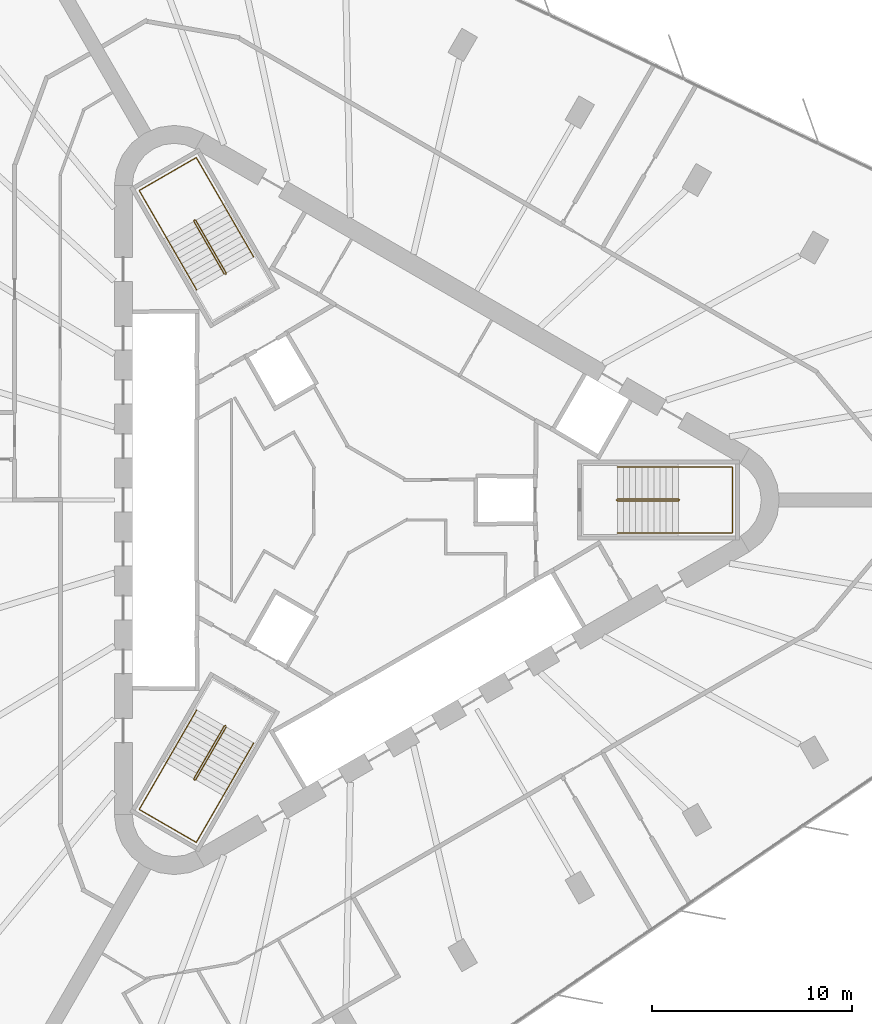
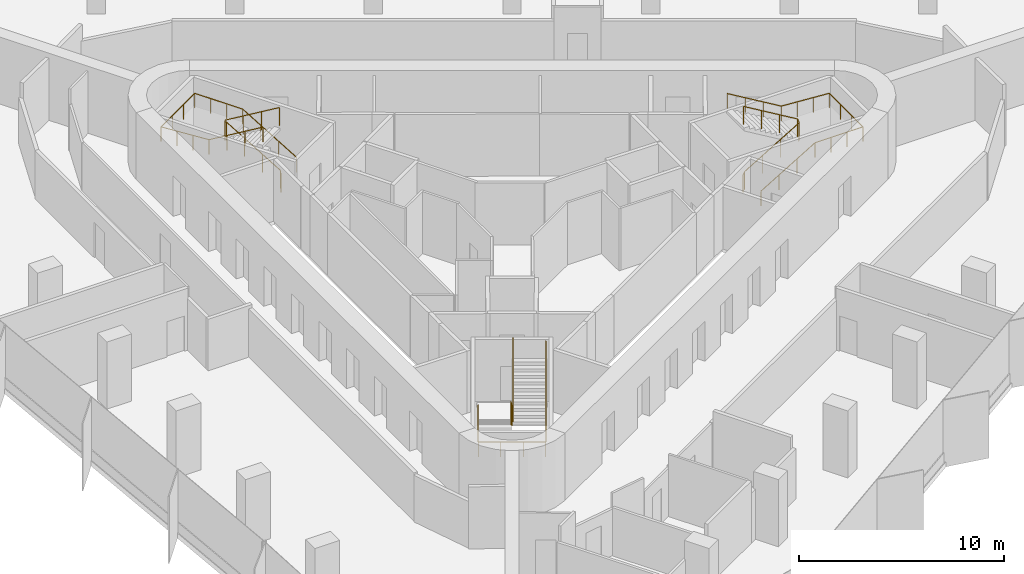
# One storey, part 13 of 13: 6 railings.
"""IFC4 building model written with IfcOpenShell, lengths in metres."""

from ifc_helpers import new_model, si_unit, direction, frame, origin, origin_2d, place, context, subcontext, project, spatial, circle, extrude, material, type_object, element, save


model = new_model("IFC4")

# Units and contexts
model_context = context("Model", 3, precision=1e-05, world=origin(), true_north=direction((0.0, 1.0)))
body_context = subcontext(model_context, "Body", "Model", "MODEL_VIEW")
ifc_project = project(units=[si_unit("LENGTHUNIT", "METRE"), si_unit("AREAUNIT", "SQUARE_METRE"), si_unit("VOLUMEUNIT", "CUBIC_METRE"), si_unit("PLANEANGLEUNIT", "RADIAN"), si_unit("MASSUNIT", "GRAM", prefix="KILO")], contexts=[model_context])

# Site, building, storey
site_placement = place(None, origin())
site = spatial("IfcSite", under=ifc_project, at=site_placement, CompositionType="ELEMENT")
building_placement = place(site_placement, origin())
building = spatial("IfcBuilding", under=site, at=building_placement, Name="Tanit Gate Tower", CompositionType="ELEMENT")
storey_placement = place(building_placement, frame((0.0, 0.0, 189.199951171875)))
storey = spatial("IfcBuildingStorey", under=building, at=storey_placement, Name="L41", CompositionType="ELEMENT", Elevation=189.199951171875)

# Railings
ifc_material_1 = material(Name="Stainless steel balustrade", Category="steel")
railing_type_1 = type_object("IfcRailingType", Name="INT-STAIR-GUARD", PredefinedType="GUARDRAIL", material=ifc_material_1)
railing_1_placement = place(storey_placement, frame((13.044921875, 0.0048828125, 0.0)))
element("IfcRailing", 1, at=railing_1_placement, inside=storey, type_object=railing_type_1, Name="L41 S1 stair guard 1", PredefinedType="GUARDRAIL", context=body_context, shape_type="SweptSolid", body=[
    extrude(circle(Radius=0.02392578125, at=origin_2d()), frame((0.0, 0.0, 1.076171875), z_axis=(0.0, -1.0, 0.0), x_axis=(1.0, 0.0, 0.0)), (0.0, 0.0, 1.0), 0.009765625),
    extrude(circle(Radius=0.02392578125, at=origin_2d()), frame((0.0, -0.009765625, 1.076171875), z_axis=(0.256435381639, -0.256435381639, 0.931923704005), x_axis=(0.707106781187, 0.707106781187, 0.0)), (0.0, 0.0, 1.0), 0.195068359375),
    extrude(circle(Radius=0.02392578125, at=origin_2d()), frame((0.050048828125, -0.059814453125, 1.2578125), z_axis=(0.859041732319, 0.0, 0.511905559781), x_axis=(0.0, 1.0, 0.0)), (0.0, 0.0, 1.0), 3.5517578125),
    extrude(circle(Radius=0.02392578125, at=origin_2d()), frame((3.10107421875, -0.059814453125, 3.076171875), z_axis=(0.707106781187, 0.707106781187, 0.0), x_axis=(-0.707106781187, 0.707106781187, 0.0)), (0.0, 0.0, 1.0), 0.07080078125),
    extrude(circle(Radius=0.02392578125, at=origin_2d()), frame((3.151123046875, -0.009765625, 3.076171875), z_axis=(0.0, 1.0, 0.0), x_axis=(-1.0, 0.0, 0.0)), (0.0, 0.0, 1.0), 0.009765625),
    extrude(circle(Radius=0.02392578125, at=origin_2d()), frame((3.151123046875, 0.0, 3.076171875), z_axis=(-0.256435381639, 0.256435381639, 0.931923704005), x_axis=(-0.707106781187, -0.707106781187, 0.0)), (0.0, 0.0, 1.0), 0.195068359375),
    extrude(circle(Radius=0.02392578125, at=origin_2d()), frame((3.10107421875, 0.050048828125, 3.2578125), z_axis=(-0.859041732319, 0.0, 0.511905559781), x_axis=(0.0, -1.0, 0.0)), (0.0, 0.0, 1.0), 3.5517578125),
    extrude(circle(Radius=0.02099609375, at=origin_2d()), origin(), (0.0, 0.0, 1.0), 1.052001953125),
    extrude(circle(Radius=0.02099609375, at=origin_2d()), frame((0.0, -0.009765625, 0.0)), (0.0, 0.0, 1.0), 1.052001953125),
    extrude(circle(Radius=0.02099609375, at=origin_2d()), frame((0.050048828125, -0.059814453125, 0.181884765625)), (0.0, 0.0, 1.0), 1.052001953125),
    extrude(circle(Radius=0.02099609375, at=origin_2d()), frame((1.067138671875, -0.059814453125, 0.787841796875)), (0.0, 0.0, 1.0), 1.052001953125),
    extrude(circle(Radius=0.02099609375, at=origin_2d()), frame((2.083984375, -0.059814453125, 1.39404296875)), (0.0, 0.0, 1.0), 1.052001953125),
    extrude(circle(Radius=0.02099609375, at=origin_2d()), frame((3.10107421875, -0.059814453125, 2.0)), (0.0, 0.0, 1.0), 1.052001953125),
    extrude(circle(Radius=0.02099609375, at=origin_2d()), frame((3.151123046875, -0.009765625, 2.0)), (0.0, 0.0, 1.0), 1.052001953125),
    extrude(circle(Radius=0.02099609375, at=origin_2d()), frame((3.151123046875, 0.0, 2.0)), (0.0, 0.0, 1.0), 1.052001953125),
    extrude(circle(Radius=0.02099609375, at=origin_2d()), frame((3.10107421875, 0.050048828125, 2.181884765625)), (0.0, 0.0, 1.0), 1.052001953125),
    extrude(circle(Radius=0.02099609375, at=origin_2d()), frame((2.083984375, 0.050048828125, 2.787841796875)), (0.0, 0.0, 1.0), 1.052001953125),
    extrude(circle(Radius=0.02099609375, at=origin_2d()), frame((1.067138671875, 0.050048828125, 3.39404296875)), (0.0, 0.0, 1.0), 1.052001953125),
    extrude(circle(Radius=0.02099609375, at=origin_2d()), frame((0.050048828125, 0.050048828125, 4.0)), (0.0, 0.0, 1.0), 1.052001953125),
])
railing_2_placement = place(storey_placement, frame((-6.527099609375, 11.29345703125, 0.0)))
element("IfcRailing", 2, at=railing_2_placement, inside=storey, type_object=railing_type_1, Name="L41 S2 stair guard 1", PredefinedType="GUARDRAIL", context=body_context, shape_type="SweptSolid", body=[
    extrude(circle(Radius=0.02392578125, at=origin_2d()), frame((0.0, 0.0, 1.076171875), z_axis=(0.868243142124, 0.496138938357, 0.0), x_axis=(-0.496138938357, 0.868243142124, 0.0)), (0.0, 0.0, 1.0), 0.01171875),
    extrude(circle(Radius=0.02392578125, at=origin_2d()), frame((0.01025390625, 0.005859375, 1.076171875), z_axis=(0.093819657636, 0.350260055175, 0.93194193252), x_axis=(-0.965948051503, 0.258736085224, 0.0)), (0.0, 0.0, 1.0), 0.195068359375),
    extrude(circle(Radius=0.02392578125, at=origin_2d()), frame((0.028564453125, 0.07421875, 1.2578125), z_axis=(-0.429472220917, 0.743822504634, 0.512134448226), x_axis=(-0.866012246495, -0.500022788402, 0.0)), (0.0, 0.0, 1.0), 3.550048828125),
    extrude(circle(Radius=0.02392578125, at=origin_2d()), frame((-1.49609375, 2.71484375, 3.076171875), z_axis=(-0.965715946433, 0.259601060869, 0.0), x_axis=(-0.259601060869, -0.965715946433, 0.0)), (0.0, 0.0, 1.0), 0.070556640625),
    extrude(circle(Radius=0.02392578125, at=origin_2d()), frame((-1.564208984375, 2.733154296875, 3.076171875), z_axis=(-0.873197702015, -0.487366159264, 0.0), x_axis=(0.487366159264, -0.873197702015, 0.0)), (0.0, 0.0, 1.0), 0.011962890625),
    extrude(circle(Radius=0.02392578125, at=origin_2d()), frame((-1.57470703125, 2.727294921875, 3.076171875), z_axis=(-0.093819657636, -0.350260055175, 0.93194193252), x_axis=(0.965948051503, -0.258736085224, 0.0)), (0.0, 0.0, 1.0), 0.195068359375),
    extrude(circle(Radius=0.02392578125, at=origin_2d()), frame((-1.593017578125, 2.658935546875, 3.2578125), z_axis=(0.429472220917, -0.743822504634, 0.512134448226), x_axis=(0.866012246495, 0.500022788402, 0.0)), (0.0, 0.0, 1.0), 3.550048828125),
    extrude(circle(Radius=0.02099609375, at=origin_2d()), origin(), (0.0, 0.0, 1.0), 1.052001953125),
    extrude(circle(Radius=0.02099609375, at=origin_2d()), frame((0.01025390625, 0.005859375, 0.0)), (0.0, 0.0, 1.0), 1.052001953125),
    extrude(circle(Radius=0.02099609375, at=origin_2d()), frame((0.028564453125, 0.07421875, 0.181884765625)), (0.0, 0.0, 1.0), 1.052001953125),
    extrude(circle(Radius=0.02099609375, at=origin_2d()), frame((-0.479736328125, 0.954345703125, 0.787841796875)), (0.0, 0.0, 1.0), 1.052001953125),
    extrude(circle(Radius=0.02099609375, at=origin_2d()), frame((-0.98779296875, 1.834716796875, 1.39404296875)), (0.0, 0.0, 1.0), 1.052001953125),
    extrude(circle(Radius=0.02099609375, at=origin_2d()), frame((-1.49609375, 2.71484375, 2.0)), (0.0, 0.0, 1.0), 1.052001953125),
    extrude(circle(Radius=0.02099609375, at=origin_2d()), frame((-1.564208984375, 2.733154296875, 2.0)), (0.0, 0.0, 1.0), 1.052001953125),
    extrude(circle(Radius=0.02099609375, at=origin_2d()), frame((-1.57470703125, 2.727294921875, 2.0)), (0.0, 0.0, 1.0), 1.052001953125),
    extrude(circle(Radius=0.02099609375, at=origin_2d()), frame((-1.593017578125, 2.658935546875, 2.181884765625)), (0.0, 0.0, 1.0), 1.052001953125),
    extrude(circle(Radius=0.02099609375, at=origin_2d()), frame((-1.084716796875, 1.77880859375, 2.787841796875)), (0.0, 0.0, 1.0), 1.052001953125),
    extrude(circle(Radius=0.02099609375, at=origin_2d()), frame((-0.57666015625, 0.8984375, 3.39404296875)), (0.0, 0.0, 1.0), 1.052001953125),
    extrude(circle(Radius=0.02099609375, at=origin_2d()), frame((-0.068359375, 0.018310546875, 4.0)), (0.0, 0.0, 1.0), 1.052001953125),
])
railing_3_placement = place(storey_placement, frame((-6.51806640625, -11.2998046875, 0.0)))
element("IfcRailing", 3, at=railing_3_placement, inside=storey, type_object=railing_type_1, Name="L41 S3 stair guard 1", PredefinedType="GUARDRAIL", context=body_context, shape_type="SweptSolid", body=[
    extrude(circle(Radius=0.02392578125, at=origin_2d()), frame((0.0, 0.0, 1.076171875), z_axis=(-0.874157276122, 0.485642931179, 0.0), x_axis=(-0.485642931179, -0.874157276122, 0.0)), (0.0, 0.0, 1.0), 0.010009765625),
    extrude(circle(Radius=0.02392578125, at=origin_2d()), frame((-0.0087890625, 0.0048828125, 1.076171875), z_axis=(-0.350300895388, -0.092579522353, 0.932050596658), x_axis=(0.255512919477, -0.966805641264, 0.0)), (0.0, 0.0, 1.0), 0.195068359375),
    extrude(circle(Radius=0.02392578125, at=origin_2d()), frame((-0.0771484375, -0.01318359375, 1.2578125), z_axis=(-0.429486674828, -0.743971555965, 0.511905772639), x_axis=(0.866048339477, -0.499960272111, 0.0)), (0.0, 0.0, 1.0), 3.5517578125),
    extrude(circle(Radius=0.02392578125, at=origin_2d()), frame((-1.6025390625, -2.655517578125, 3.076171875), z_axis=(0.258736085224, -0.965948051503, 0.0), x_axis=(0.965948051503, 0.258736085224, 0.0)), (0.0, 0.0, 1.0), 0.07080078125),
    extrude(circle(Radius=0.02392578125, at=origin_2d()), frame((-1.584228515625, -2.723876953125, 3.076171875), z_axis=(0.868243142124, -0.496138938357, 0.0), x_axis=(0.496138938357, 0.868243142124, 0.0)), (0.0, 0.0, 1.0), 0.009765625),
    extrude(circle(Radius=0.02392578125, at=origin_2d()), frame((-1.57568359375, -2.728759765625, 3.076171875), z_axis=(0.350260055175, 0.093819657636, 0.93194193252), x_axis=(-0.258736085224, 0.965948051503, 0.0)), (0.0, 0.0, 1.0), 0.195068359375),
    extrude(circle(Radius=0.02392578125, at=origin_2d()), frame((-1.50732421875, -2.71044921875, 3.2578125), z_axis=(0.429564698942, 0.743918894535, 0.511916836777), x_axis=(-0.865993683553, 0.500054937028, 0.0)), (0.0, 0.0, 1.0), 3.551513671875),
    extrude(circle(Radius=0.02099609375, at=origin_2d()), origin(), (0.0, 0.0, 1.0), 1.052001953125),
    extrude(circle(Radius=0.02099609375, at=origin_2d()), frame((-0.0087890625, 0.0048828125, 0.0)), (0.0, 0.0, 1.0), 1.052001953125),
    extrude(circle(Radius=0.02099609375, at=origin_2d()), frame((-0.0771484375, -0.01318359375, 0.181884765625)), (0.0, 0.0, 1.0), 1.052001953125),
    extrude(circle(Radius=0.02099609375, at=origin_2d()), frame((-0.585693359375, -0.89404296875, 0.787841796875)), (0.0, 0.0, 1.0), 1.052001953125),
    extrude(circle(Radius=0.02099609375, at=origin_2d()), frame((-1.093994140625, -1.774658203125, 1.39404296875)), (0.0, 0.0, 1.0), 1.052001953125),
    extrude(circle(Radius=0.02099609375, at=origin_2d()), frame((-1.6025390625, -2.655517578125, 2.0)), (0.0, 0.0, 1.0), 1.052001953125),
    extrude(circle(Radius=0.02099609375, at=origin_2d()), frame((-1.584228515625, -2.723876953125, 2.0)), (0.0, 0.0, 1.0), 1.052001953125),
    extrude(circle(Radius=0.02099609375, at=origin_2d()), frame((-1.57568359375, -2.728759765625, 2.0)), (0.0, 0.0, 1.0), 1.052001953125),
    extrude(circle(Radius=0.02099609375, at=origin_2d()), frame((-1.50732421875, -2.71044921875, 2.181884765625)), (0.0, 0.0, 1.0), 1.052001953125),
    extrude(circle(Radius=0.02099609375, at=origin_2d()), frame((-0.998779296875, -1.829833984375, 2.787841796875)), (0.0, 0.0, 1.0), 1.052001953125),
    extrude(circle(Radius=0.02099609375, at=origin_2d()), frame((-0.490234375, -0.948974609375, 3.39404296875)), (0.0, 0.0, 1.0), 1.052001953125),
    extrude(circle(Radius=0.02099609375, at=origin_2d()), frame((0.018310546875, -0.068359375, 4.0)), (0.0, 0.0, 1.0), 1.052001953125),
])
ifc_material_2 = material(Name="Stainless steel handrail", Category="steel")
railing_type_2 = type_object("IfcRailingType", Name="INT-STAIR-HANDRAIL", PredefinedType="HANDRAIL", material=ifc_material_2)
railing_4_placement = place(storey_placement, frame((13.094970703125, -1.64990234375, 0.181884765625)))
element("IfcRailing", 4, at=railing_4_placement, inside=storey, type_object=railing_type_2, Name="L41 S1 stair handrail 1", PredefinedType="HANDRAIL", context=body_context, shape_type="SweptSolid", body=[
    extrude(circle(Radius=0.02392578125, at=origin_2d()), frame((0.0, 0.0, 0.8759765625), z_axis=(0.859041732319, 0.0, 0.511905559781), x_axis=(0.0, 1.0, 0.0)), (0.0, 0.0, 1.0), 3.5517578125),
    extrude(circle(Radius=0.02392578125, at=origin_2d()), frame((3.051025390625, 0.0, 2.69384765625), z_axis=(1.0, 0.0, 0.0), x_axis=(0.0, 1.0, 0.0)), (0.0, 0.0, 1.0), 2.7041015625),
    extrude(circle(Radius=0.02392578125, at=origin_2d()), frame((5.755126953125, 0.0, 2.69384765625), z_axis=(0.0, 1.0, 0.0), x_axis=(-1.0, 0.0, 0.0)), (0.0, 0.0, 1.0), 3.2998046875),
    extrude(circle(Radius=0.02392578125, at=origin_2d()), frame((5.755126953125, 3.2998046875, 2.69384765625), z_axis=(-0.997745521698, 0.0, 0.067110907698), x_axis=(0.0, -1.0, 0.0)), (0.0, 0.0, 1.0), 2.710205078125),
    extrude(circle(Radius=0.02392578125, at=origin_2d()), frame((3.051025390625, 3.2998046875, 2.8759765625), z_axis=(-0.859041732319, 0.0, 0.511905559781), x_axis=(0.0, -1.0, 0.0)), (0.0, 0.0, 1.0), 3.5517578125),
    extrude(circle(Radius=0.02099609375, at=origin_2d()), origin(), (0.0, 0.0, 1.0), 0.851806640625),
    extrude(circle(Radius=0.02099609375, at=origin_2d()), frame((1.01708984375, 0.0, 0.60595703125)), (0.0, 0.0, 1.0), 0.851806640625),
    extrude(circle(Radius=0.02099609375, at=origin_2d()), frame((2.033935546875, 0.0, 1.212158203125)), (0.0, 0.0, 1.0), 0.851806640625),
    extrude(circle(Radius=0.02099609375, at=origin_2d()), frame((3.051025390625, 0.0, 1.818115234375)), (0.0, 0.0, 1.0), 0.851806640625),
    extrude(circle(Radius=0.02099609375, at=origin_2d()), frame((3.952392578125, 0.0, 1.818115234375)), (0.0, 0.0, 1.0), 0.851806640625),
    extrude(circle(Radius=0.02099609375, at=origin_2d()), frame((4.853759765625, 0.0, 1.818115234375)), (0.0, 0.0, 1.0), 0.851806640625),
    extrude(circle(Radius=0.02099609375, at=origin_2d()), frame((5.755126953125, 0.0, 1.818115234375)), (0.0, 0.0, 1.0), 0.851806640625),
    extrude(circle(Radius=0.02099609375, at=origin_2d()), frame((5.755126953125, 1.099853515625, 1.818115234375)), (0.0, 0.0, 1.0), 0.851806640625),
    extrude(circle(Radius=0.02099609375, at=origin_2d()), frame((5.755126953125, 2.199951171875, 1.818115234375)), (0.0, 0.0, 1.0), 0.851806640625),
    extrude(circle(Radius=0.02099609375, at=origin_2d()), frame((5.755126953125, 3.2998046875, 1.818115234375)), (0.0, 0.0, 1.0), 0.851806640625),
    extrude(circle(Radius=0.02099609375, at=origin_2d()), frame((4.853759765625, 3.2998046875, 1.878662109375)), (0.0, 0.0, 1.0), 0.851806640625),
    extrude(circle(Radius=0.02099609375, at=origin_2d()), frame((3.952392578125, 3.2998046875, 1.939453125)), (0.0, 0.0, 1.0), 0.851806640625),
    extrude(circle(Radius=0.02099609375, at=origin_2d()), frame((3.051025390625, 3.2998046875, 2.0)), (0.0, 0.0, 1.0), 0.851806640625),
    extrude(circle(Radius=0.02099609375, at=origin_2d()), frame((2.033935546875, 3.2998046875, 2.60595703125)), (0.0, 0.0, 1.0), 0.851806640625),
    extrude(circle(Radius=0.02099609375, at=origin_2d()), frame((1.01708984375, 3.2998046875, 3.212158203125)), (0.0, 0.0, 1.0), 0.851806640625),
    extrude(circle(Radius=0.02099609375, at=origin_2d()), frame((0.0, 3.2998046875, 3.818115234375)), (0.0, 0.0, 1.0), 0.851806640625),
])
railing_5_placement = place(storey_placement, frame((-5.1181640625, 12.164794921875, 0.181884765625)))
element("IfcRailing", 5, at=railing_5_placement, inside=storey, type_object=railing_type_2, Name="L41 S2 stair handrail 1", PredefinedType="HANDRAIL", context=body_context, shape_type="SweptSolid", body=[
    extrude(circle(Radius=0.02392578125, at=origin_2d()), frame((0.0, 0.0, 0.8759765625), z_axis=(-0.429416132344, 0.743844472684, 0.512149573602), x_axis=(-0.866046917185, -0.499962735845, 0.0)), (0.0, 0.0, 1.0), 3.550048828125),
    extrude(circle(Radius=0.02392578125, at=origin_2d()), frame((-1.5244140625, 2.640625, 2.69384765625), z_axis=(-0.500019123664, 0.86601436245, 0.0), x_axis=(-0.86601436245, -0.500019123664, 0.0)), (0.0, 0.0, 1.0), 2.70703125),
    extrude(circle(Radius=0.02392578125, at=origin_2d()), frame((-2.8779296875, 4.98486328125, 2.69384765625), z_axis=(-0.866008176907, -0.50002983664, 0.0), x_axis=(0.50002983664, -0.866008176907, 0.0)), (0.0, 0.0, 1.0), 3.300048828125),
    extrude(circle(Radius=0.02392578125, at=origin_2d()), frame((-5.73583984375, 3.334716796875, 2.69384765625), z_axis=(0.498932980467, -0.864043208057, 0.067046369128), x_axis=(0.865991810323, 0.500058181068, 0.0)), (0.0, 0.0, 1.0), 2.712890625),
    extrude(circle(Radius=0.02392578125, at=origin_2d()), frame((-4.38232421875, 0.99072265625, 2.8759765625), z_axis=(0.429450252752, -0.743853224023, 0.512108251761), x_axis=(0.866032263162, 0.499988119021, 0.0)), (0.0, 0.0, 1.0), 3.55029296875),
    extrude(circle(Radius=0.02099609375, at=origin_2d()), origin(), (0.0, 0.0, 1.0), 0.851806640625),
    extrude(circle(Radius=0.02099609375, at=origin_2d()), frame((-0.508056640625, 0.880126953125, 0.60595703125)), (0.0, 0.0, 1.0), 0.851806640625),
    extrude(circle(Radius=0.02099609375, at=origin_2d()), frame((-1.016357421875, 1.760498046875, 1.212158203125)), (0.0, 0.0, 1.0), 0.851806640625),
    extrude(circle(Radius=0.02099609375, at=origin_2d()), frame((-1.5244140625, 2.640625, 1.818115234375)), (0.0, 0.0, 1.0), 0.851806640625),
    extrude(circle(Radius=0.02099609375, at=origin_2d()), frame((-1.9755859375, 3.422119140625, 1.818115234375)), (0.0, 0.0, 1.0), 0.851806640625),
    extrude(circle(Radius=0.02099609375, at=origin_2d()), frame((-2.4267578125, 4.203369140625, 1.818115234375)), (0.0, 0.0, 1.0), 0.851806640625),
    extrude(circle(Radius=0.02099609375, at=origin_2d()), frame((-2.8779296875, 4.98486328125, 1.818115234375)), (0.0, 0.0, 1.0), 0.851806640625),
    extrude(circle(Radius=0.02099609375, at=origin_2d()), frame((-3.83056640625, 4.434814453125, 1.818115234375)), (0.0, 0.0, 1.0), 0.851806640625),
    extrude(circle(Radius=0.02099609375, at=origin_2d()), frame((-4.783203125, 3.884765625, 1.818115234375)), (0.0, 0.0, 1.0), 0.851806640625),
    extrude(circle(Radius=0.02099609375, at=origin_2d()), frame((-5.73583984375, 3.334716796875, 1.818115234375)), (0.0, 0.0, 1.0), 0.851806640625),
    extrude(circle(Radius=0.02099609375, at=origin_2d()), frame((-5.28466796875, 2.553466796875, 1.878662109375)), (0.0, 0.0, 1.0), 0.851806640625),
    extrude(circle(Radius=0.02099609375, at=origin_2d()), frame((-4.83349609375, 1.77197265625, 1.939453125)), (0.0, 0.0, 1.0), 0.851806640625),
    extrude(circle(Radius=0.02099609375, at=origin_2d()), frame((-4.38232421875, 0.99072265625, 2.0)), (0.0, 0.0, 1.0), 0.851806640625),
    extrude(circle(Radius=0.02099609375, at=origin_2d()), frame((-3.8740234375, 0.1103515625, 2.60595703125)), (0.0, 0.0, 1.0), 0.851806640625),
    extrude(circle(Radius=0.02099609375, at=origin_2d()), frame((-3.365966796875, -0.769775390625, 3.212158203125)), (0.0, 0.0, 1.0), 0.851806640625),
    extrude(circle(Radius=0.02099609375, at=origin_2d()), frame((-2.857666015625, -1.650146484375, 3.818115234375)), (0.0, 0.0, 1.0), 0.851806640625),
])
railing_6_placement = place(storey_placement, frame((-7.9765625, -10.515625, 0.181884765625)))
element("IfcRailing", 6, at=railing_6_placement, inside=storey, type_object=railing_type_2, Name="L41 S3 stair handrail 1", PredefinedType="HANDRAIL", context=body_context, shape_type="SweptSolid", body=[
    extrude(circle(Radius=0.02392578125, at=origin_2d()), frame((0.0, 0.0, 0.8759765625), z_axis=(-0.429486674828, -0.743971555965, 0.511905772639), x_axis=(0.866048339477, -0.499960272111, 0.0)), (0.0, 0.0, 1.0), 3.5517578125),
    extrude(circle(Radius=0.02392578125, at=origin_2d()), frame((-1.525390625, -2.642333984375, 2.69384765625), z_axis=(-0.50004290449, -0.866000631449, 0.0), x_axis=(0.866000631449, -0.50004290449, 0.0)), (0.0, 0.0, 1.0), 2.703857421875),
    extrude(circle(Radius=0.02392578125, at=origin_2d()), frame((-2.87744140625, -4.98388671875, 2.69384765625), z_axis=(0.866008176907, -0.50002983664, 0.0), x_axis=(0.50002983664, 0.866008176907, 0.0)), (0.0, 0.0, 1.0), 3.300048828125),
    extrude(circle(Radius=0.02392578125, at=origin_2d()), frame((-0.01953125, -6.634033203125, 2.69384765625), z_axis=(0.498876541924, 0.864070745781, 0.067111416348), x_axis=(-0.866023205937, 0.500003806764, 0.0)), (0.0, 0.0, 1.0), 2.710205078125),
    extrude(circle(Radius=0.02392578125, at=origin_2d()), frame((1.33251953125, -4.292236328125, 2.8759765625), z_axis=(0.429486674828, 0.743971555965, 0.511905772639), x_axis=(-0.866048339477, 0.499960272111, 0.0)), (0.0, 0.0, 1.0), 3.5517578125),
    extrude(circle(Radius=0.02099609375, at=origin_2d()), origin(), (0.0, 0.0, 1.0), 0.851806640625),
    extrude(circle(Radius=0.02099609375, at=origin_2d()), frame((-0.508544921875, -0.880859375, 0.60595703125)), (0.0, 0.0, 1.0), 0.851806640625),
    extrude(circle(Radius=0.02099609375, at=origin_2d()), frame((-1.016845703125, -1.761474609375, 1.212158203125)), (0.0, 0.0, 1.0), 0.851806640625),
    extrude(circle(Radius=0.02099609375, at=origin_2d()), frame((-1.525390625, -2.642333984375, 1.818115234375)), (0.0, 0.0, 1.0), 0.851806640625),
    extrude(circle(Radius=0.02099609375, at=origin_2d()), frame((-1.97607421875, -3.4228515625, 1.818115234375)), (0.0, 0.0, 1.0), 0.851806640625),
    extrude(circle(Radius=0.02099609375, at=origin_2d()), frame((-2.4267578125, -4.203369140625, 1.818115234375)), (0.0, 0.0, 1.0), 0.851806640625),
    extrude(circle(Radius=0.02099609375, at=origin_2d()), frame((-2.87744140625, -4.98388671875, 1.818115234375)), (0.0, 0.0, 1.0), 0.851806640625),
    extrude(circle(Radius=0.02099609375, at=origin_2d()), frame((-1.9248046875, -5.533935546875, 1.818115234375)), (0.0, 0.0, 1.0), 0.851806640625),
    extrude(circle(Radius=0.02099609375, at=origin_2d()), frame((-0.97216796875, -6.083984375, 1.818115234375)), (0.0, 0.0, 1.0), 0.851806640625),
    extrude(circle(Radius=0.02099609375, at=origin_2d()), frame((-0.01953125, -6.634033203125, 1.818115234375)), (0.0, 0.0, 1.0), 0.851806640625),
    extrude(circle(Radius=0.02099609375, at=origin_2d()), frame((0.43115234375, -5.853515625, 1.878662109375)), (0.0, 0.0, 1.0), 0.851806640625),
    extrude(circle(Radius=0.02099609375, at=origin_2d()), frame((0.8818359375, -5.07275390625, 1.939453125)), (0.0, 0.0, 1.0), 0.851806640625),
    extrude(circle(Radius=0.02099609375, at=origin_2d()), frame((1.33251953125, -4.292236328125, 2.0)), (0.0, 0.0, 1.0), 0.851806640625),
    extrude(circle(Radius=0.02099609375, at=origin_2d()), frame((1.841064453125, -3.411376953125, 2.60595703125)), (0.0, 0.0, 1.0), 0.851806640625),
    extrude(circle(Radius=0.02099609375, at=origin_2d()), frame((2.349365234375, -2.53076171875, 3.212158203125)), (0.0, 0.0, 1.0), 0.851806640625),
    extrude(circle(Radius=0.02099609375, at=origin_2d()), frame((2.85791015625, -1.64990234375, 3.818115234375)), (0.0, 0.0, 1.0), 0.851806640625),
])

save(model, "model.ifc")
